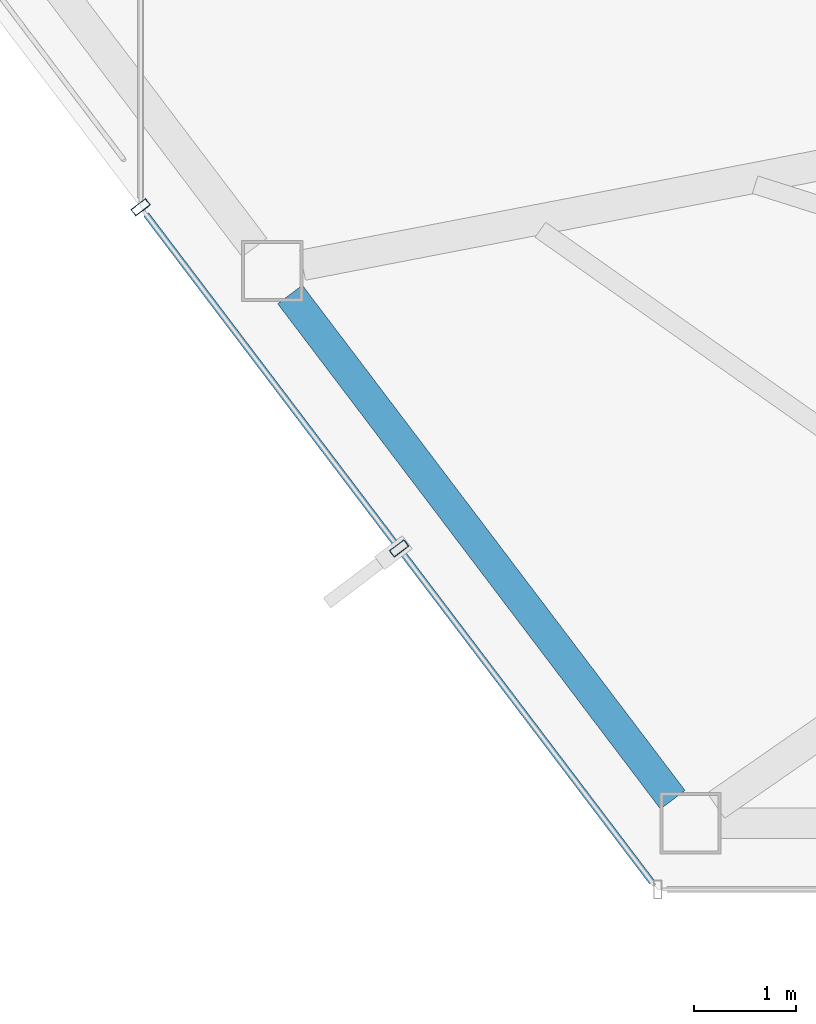
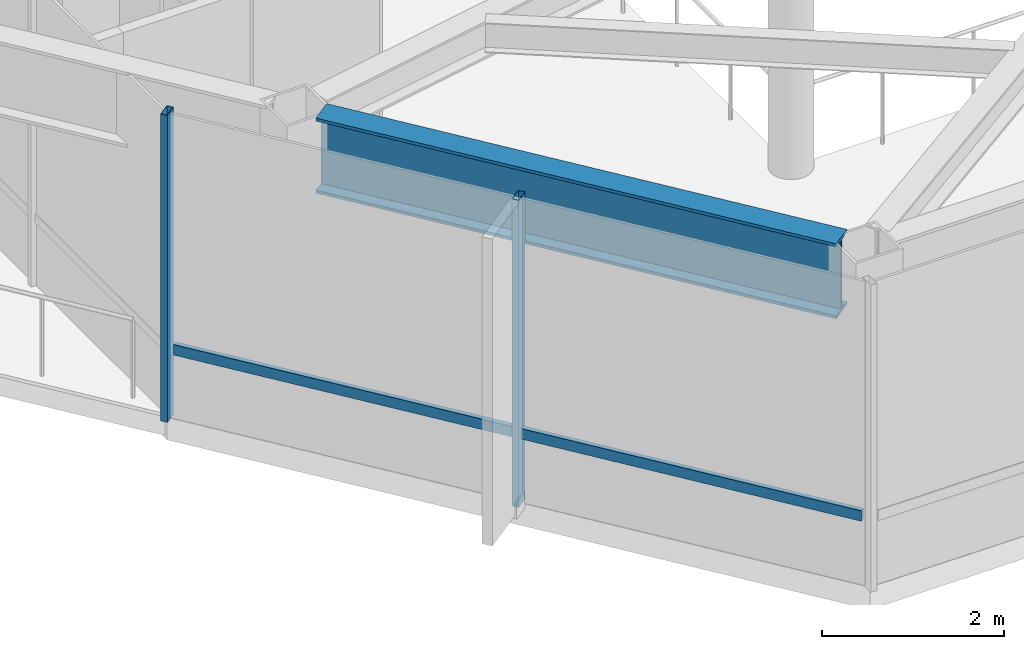
# One storey, part 2 of 23: 3 members, 1 beam, 1 element without a shape of its own.
"""IFC4 building model written with IfcOpenShell, lengths in metres."""

from ifc_helpers import new_model, si_unit, direction, frame, origin, origin_2d, place, context, subcontext, project, spatial, hollow_rectangle, i_section, extrude, material, layer, layer_set, material_profile, profile_set, type_object, element, aggregate, save


model = new_model("IFC4")

# Units and contexts
model_context = context("Model", 3, precision=1e-05, world=origin(), true_north=direction((0.0, 1.0)))
body_context = subcontext(model_context, "Body", "Model", "MODEL_VIEW")
ifc_project = project(units=[si_unit("LENGTHUNIT", "METRE"), si_unit("AREAUNIT", "SQUARE_METRE"), si_unit("VOLUMEUNIT", "CUBIC_METRE"), si_unit("PLANEANGLEUNIT", "RADIAN"), si_unit("MASSUNIT", "GRAM", prefix="KILO")], contexts=[model_context])

# Site, building, storey
site_placement = place(None, origin())
site = spatial("IfcSite", under=ifc_project, at=site_placement, CompositionType="ELEMENT")
building_placement = place(site_placement, origin())
building = spatial("IfcBuilding", under=site, at=building_placement, Name="Zarrinselat Tower", CompositionType="ELEMENT")
storey_placement = place(building_placement, frame((0.0, 0.0, 199.919921875)))
storey = spatial("IfcBuildingStorey", under=building, at=storey_placement, Name="L49", CompositionType="ELEMENT", Elevation=199.919921875)

# Beam
ifc_material_1 = material(Name="Steel S460M", Category="steel")
ifc_material_profile_1 = material_profile(ifc_material_1, i_section(OverallWidth=0.302001953125, OverallDepth=1.008056640625, WebThickness=0.02099609375, FlangeThickness=0.0400390625, at=origin_2d()), Name="HEM 1000")
ifc_profile_set_1 = profile_set([ifc_material_profile_1], Name="Steel S460M")
beam_type = type_object("IfcBeamType", Name="BM-HEM1000", PredefinedType="BEAM", material=ifc_profile_set_1)
beam_placement = place(storey_placement, frame((28.120361328125, 23.60791015625, 3.615966796875), z_axis=(0.603850872275, -0.797097311533, 0.0), x_axis=(0.797097311533, 0.603850872275, 0.0)))
element("IfcBeam", 1, at=beam_placement, inside=storey, type_object=beam_type, Name="L49 Perimeter Spandrel Girder SP09", PredefinedType="BEAM", context=body_context, shape_type="SweptSolid", body=[
    extrude(i_section(OverallWidth=0.302001953125, OverallDepth=1.008056640625, WebThickness=0.02099609375, FlangeThickness=0.0400390625, at=origin_2d()), origin(), (0.0, 0.0, 1.0), 6.206787109375),
])

# Curtain wall, members
ifc_material_2 = material(Name="Extruded Aluminium Alloy EN AW-6063 T6", Category="aluminium")
ifc_layer = layer(ifc_material_2, 0.195068359375)
ifc_layer_set = layer_set([ifc_layer], Name="Extruded Aluminium Alloy EN AW-6063 T6")
curtain_wall_type = type_object("IfcCurtainWallType", Name="CWS-GDN", PredefinedType="NOTDEFINED", material=ifc_layer_set)
curtain_wall_placement = place(storey_placement, origin())
curtain_wall = element("IfcCurtainWall", 2, at=curtain_wall_placement, inside=storey, type_object=curtain_wall_type, Name="L49 Unitised Curtain Wall CW-L49-E06", PredefinedType="NOTDEFINED")
ifc_material_3 = material(Name="Extruded Aluminium Alloy EN AW-6063 T6", Category="aluminium")
ifc_material_profile_2 = material_profile(ifc_material_3, hollow_rectangle(XDim=0.080078125, YDim=0.179931640625, WallThickness=0.0048828125, at=origin_2d()), Name="RHS 180x80x5")
ifc_profile_set_2 = profile_set([ifc_material_profile_2], Name="Extruded Aluminium Alloy EN AW-6063 T6")
member_type_1 = type_object("IfcMemberType", Name="MEM-CW-MUL", PredefinedType="MULLION", material=ifc_profile_set_2)
member_1_placement = place(storey_placement, frame((29.1884765625, 21.121337890625, 0.0), z_axis=(0.0, 0.0, 1.0), x_axis=(-0.603858445775, 0.797091574078, 0.0)))
member_1 = element("IfcMember", 3, at=member_1_placement, type_object=member_type_1, Name="CW-L49-E06 Mullion 1", PredefinedType="MULLION", context=body_context, shape_type="SweptSolid", body=[
    extrude(hollow_rectangle(XDim=0.080078125, YDim=0.179931640625, WallThickness=0.0048828125, at=origin_2d()), origin(), (0.0, 0.0, 1.0), 4.1201171875),
])
member_2_placement = place(storey_placement, frame((26.65771484375, 24.462158203125, 0.0), z_axis=(0.0, 0.0, 1.0), x_axis=(-0.603858445775, 0.797091574078, 0.0)))
member_2 = element("IfcMember", 4, at=member_2_placement, type_object=member_type_1, Name="CW-L49-E06 Mullion 2", PredefinedType="MULLION", context=body_context, shape_type="SweptSolid", body=[
    extrude(hollow_rectangle(XDim=0.080078125, YDim=0.179931640625, WallThickness=0.0048828125, at=origin_2d()), origin(), (0.0, 0.0, 1.0), 4.1201171875),
])
ifc_material_4 = material(Name="Extruded Aluminium Alloy EN AW-6063 T6", Category="aluminium")
ifc_material_profile_3 = material_profile(ifc_material_4, hollow_rectangle(XDim=0.06005859375, YDim=0.139892578125, WallThickness=0.00390625, at=origin_2d()), Name="RHS 140x60x4")
ifc_profile_set_3 = profile_set([ifc_material_profile_3], Name="Extruded Aluminium Alloy EN AW-6063 T6")
member_type_2 = type_object("IfcMemberType", Name="MEM-CW-TRN", PredefinedType="USERDEFINED", material=ifc_profile_set_3)
member_3_placement = place(storey_placement, frame((31.6650390625, 17.852294921875, 0.9501953125), z_axis=(-0.603859980233, 0.797090411605, 0.0), x_axis=(-0.797090411605, -0.603859980233, 0.0)))
member_3 = element("IfcMember", 5, at=member_3_placement, type_object=member_type_2, Name="CW-L49-E06 Transom 1", ObjectType="TRANSOM", PredefinedType="USERDEFINED", context=body_context, shape_type="SweptSolid", body=[
    extrude(hollow_rectangle(XDim=0.06005859375, YDim=0.139892578125, WallThickness=0.00390625, at=origin_2d()), origin(), (0.0, 0.0, 1.0), 8.202392578125),
])
aggregate(curtain_wall, [member_1, member_2, member_3])

save(model, "model.ifc")
